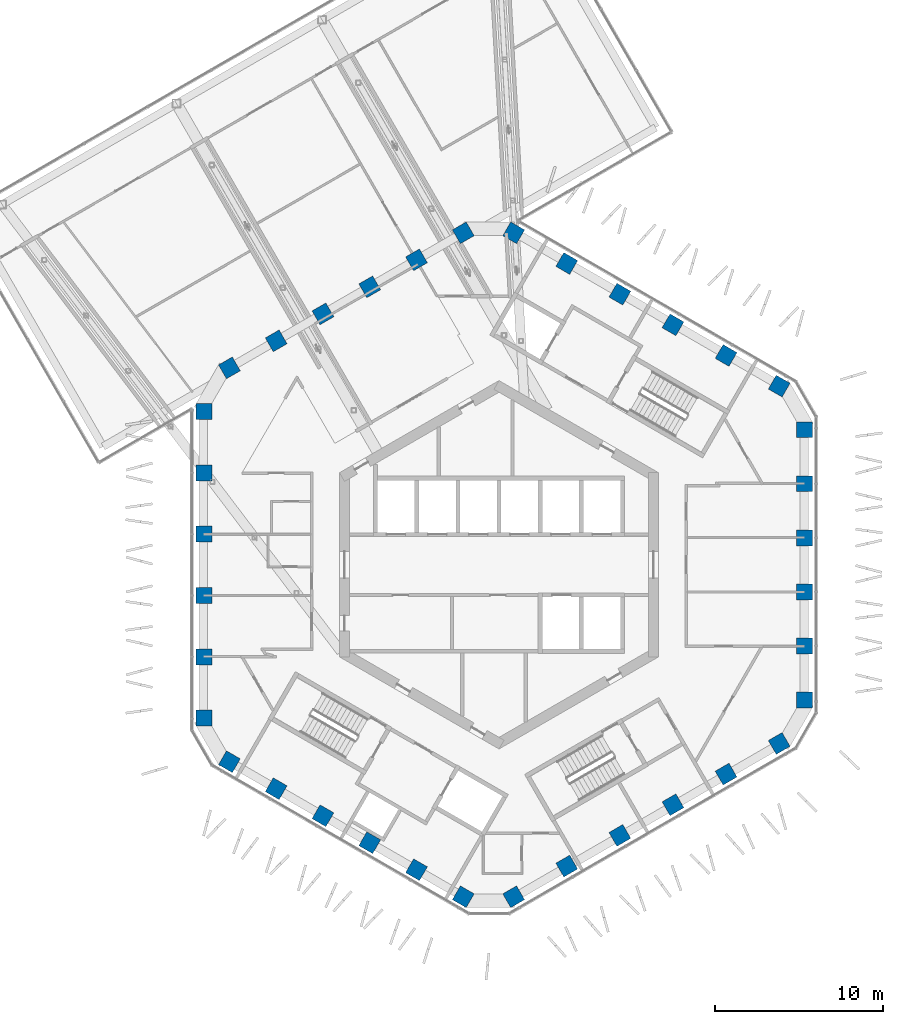
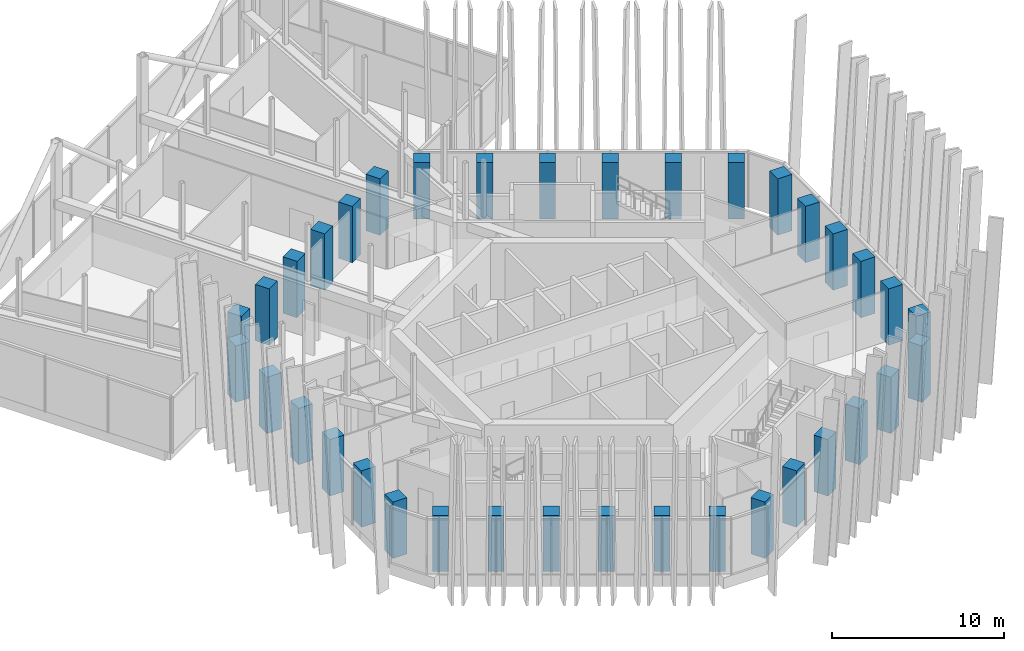
# One storey, part 1 of 29: 36 columns.
"""IFC4 building model written with IfcOpenShell, lengths in metres."""

import ifcopenshell
import ifcopenshell.guid

model = None  # the IFC model being written
_history = None  # IfcOwnerHistory: only IFC2X3 demands one
_inside = {}  # id of a spatial element -> (the spatial element, [elements in it])
_under = {}  # id of a project, library or spatial element -> (it, [spatial elements below it])
_declared = {}  # id of a project -> (the project, [libraries it declares])
_typed = {}  # id of a type object -> (the type object, [elements of that type])
_made_of = {}  # id of a material, layer set ... -> (it, [elements and type objects made of it])


def new_model(schema):
    """Start an empty IFC model of exactly this schema.

    Asked for "IFC4X3", IfcOpenShell would pick the latest addendum, in which some entities
    have other attributes; the version numbers below select the first issue.
    IFC2X3 requires an IfcOwnerHistory on every rooted entity: one is made here for all.
    """
    global model, _history
    if schema == "IFC4X3":
        model = ifcopenshell.file(schema_version=(4, 3, 0, 0))
    else:
        model = ifcopenshell.file(schema=schema)
    _inside.clear()
    _under.clear()
    _declared.clear()
    _typed.clear()
    _made_of.clear()
    _history = None
    if model.schema == "IFC2X3":
        org = make("IfcOrganization", Name="unknown")
        user = make(
            "IfcPersonAndOrganization",
            ThePerson=make("IfcPerson", FamilyName="unknown"),
            TheOrganization=org,
        )
        app = make(
            "IfcApplication",
            ApplicationDeveloper=org,
            Version="unknown",
            ApplicationFullName="unknown",
            ApplicationIdentifier="unknown",
        )
        _history = make(
            "IfcOwnerHistory",
            OwningUser=user,
            OwningApplication=app,
            ChangeAction="ADDED",
            CreationDate=0,
        )
    return model


def make(cls, **values):
    """One entity of the class cls with the attributes given. An attribute that is None is left unset."""
    return model.create_entity(
        cls, **{name: value for name, value in values.items() if value is not None}
    )


def rooted(cls, **values):
    """An entity with a GlobalId (a new one), such as an element, a storey or a relation."""
    return make(cls, GlobalId=ifcopenshell.guid.new(), OwnerHistory=_history, **values)


def si_unit(unit_type, name, prefix=None):
    """IfcSIUnit, for example si_unit("LENGTHUNIT", "METRE", prefix="MILLI")."""
    return make("IfcSIUnit", UnitType=unit_type, Prefix=prefix, Name=name)


def assignment(units):
    """IfcUnitAssignment: the units of a project."""
    return None if units is None else make("IfcUnitAssignment", Units=units)


def point(xyz):
    """IfcCartesianPoint."""
    return None if xyz is None else make("IfcCartesianPoint", Coordinates=xyz)


def direction(xyz):
    """IfcDirection."""
    return None if xyz is None else make("IfcDirection", DirectionRatios=xyz)


def frame(location, z_axis=None, x_axis=None):
    """IfcAxis2Placement3D, a coordinate frame: its origin and axes. An axis left out is left unset."""
    return make(
        "IfcAxis2Placement3D",
        Location=point(location),
        Axis=direction(z_axis),
        RefDirection=direction(x_axis),
    )


def frame_2d(location, x_axis=None):
    """IfcAxis2Placement2D, a coordinate frame in the plane: its origin and x axis."""
    return make(
        "IfcAxis2Placement2D", Location=point(location), RefDirection=direction(x_axis)
    )


def origin():
    """The frame at (0, 0, 0) with its axes left unset."""
    return frame((0.0, 0.0, 0.0))


def origin_2d():
    """The frame at (0, 0) in the plane with its x axis left unset."""
    return frame_2d((0.0, 0.0))


def place(relative_to, where):
    """IfcLocalPlacement: puts the frame where relative to a parent placement (None: the world)."""
    return make(
        "IfcLocalPlacement", PlacementRelTo=relative_to, RelativePlacement=where
    )


def context(
    kind, dimensions, precision=None, world=None, true_north=None, identifier=None
):
    """IfcGeometricRepresentationContext, for example the 3D "Model" context."""
    return make(
        "IfcGeometricRepresentationContext",
        ContextIdentifier=identifier,
        ContextType=kind,
        CoordinateSpaceDimension=dimensions,
        Precision=precision,
        WorldCoordinateSystem=world,
        TrueNorth=true_north,
    )


def subcontext(parent, identifier, kind, view, scale=None):
    """IfcGeometricRepresentationSubContext, for example "Body" below "Model"."""
    return make(
        "IfcGeometricRepresentationSubContext",
        ContextIdentifier=identifier,
        ContextType=kind,
        ParentContext=parent,
        TargetScale=scale,
        TargetView=view,
    )


def project(units=None, contexts=None):
    """IfcProject with its units and contexts."""
    return rooted(
        "IfcProject",
        Name="project",
        RepresentationContexts=contexts,
        UnitsInContext=assignment(units),
    )


def spatial(cls, under=None, at=None, **own):
    """A site, building, storey or space (cls), placed at a placement, below another one or the project."""
    s = rooted(cls, ObjectPlacement=at, **own)
    if under is not None:
        _under.setdefault(under.id(), (under, []))[1].append(s)
    return s


def profile(cls, at=None, kind="AREA", **sizes):
    """A parametric profile (cls). Its sizes go by their IFC names, for example OverallWidth=200.0."""
    return make(cls, ProfileType=kind, Position=at, **sizes)


def rectangle(**sizes):
    """IfcRectangleProfileDef."""
    return profile("IfcRectangleProfileDef", **sizes)


def extrude(swept, where, along, depth):
    """IfcExtrudedAreaSolid: the profile swept, set in the frame where, extruded along a direction by depth."""
    return make(
        "IfcExtrudedAreaSolid",
        SweptArea=swept,
        Position=where,
        ExtrudedDirection=direction(along),
        Depth=depth,
    )


def shape(context_of_items, identifier, shape_type, items):
    """IfcShapeRepresentation: the items that make up one representation, for example the "Body"."""
    return make(
        "IfcShapeRepresentation",
        ContextOfItems=context_of_items,
        RepresentationIdentifier=identifier,
        RepresentationType=shape_type,
        Items=items,
    )


def material(Name=None, Category=None):
    """IfcMaterial."""
    return make("IfcMaterial", Name=Name, Category=Category)


def material_profile(
    of_material, cross_section, Name=None, Category=None, Priority=None
):
    """IfcMaterialProfile: a cross section and its material."""
    return make(
        "IfcMaterialProfile",
        Name=Name,
        Material=of_material,
        Profile=cross_section,
        Priority=Priority,
        Category=Category,
    )


def profile_set(profiles, Name=None, composite=None):
    """IfcMaterialProfileSet."""
    return make(
        "IfcMaterialProfileSet",
        Name=Name,
        MaterialProfiles=profiles,
        CompositeProfile=composite,
    )


def made_of(thing, what):
    """Note that an element or type object is made of a material, layer set ...; save() writes the relation."""
    if what is not None:
        _made_of.setdefault(what.id(), (what, []))[1].append(thing)
    return thing


def type_object(cls, material=None, **own):
    """A type object (cls), such as IfcWallType, which elements share."""
    return made_of(rooted(cls, **own), material)


def element(
    cls,
    number,
    at=None,
    inside=None,
    cuts=None,
    type_object=None,
    material=None,
    context=None,
    identifier="Body",
    shape_type=None,
    held_by="IfcProductDefinitionShape",
    body=None,
    shapes=None,
    **own,
):
    """One element of the class cls, such as IfcWall. Its Tag is "e" and its number.

    at: its placement. inside: the storey or other place that contains it. cuts: it is an
    opening in that element (IfcRelVoidsElement). A single representation is given by context,
    identifier, shape_type and body (its items); several are given by shapes. held_by: the class
    of the entity that holds the representations. save() writes the other relations.
    """
    e = rooted(cls, Tag="e%d" % number, ObjectPlacement=at, **own)
    if body is not None:
        shapes = [shape(context, identifier, shape_type, body)]
    if shapes is not None:
        e.Representation = make(held_by, Representations=shapes)
    if inside is not None:
        _inside.setdefault(inside.id(), (inside, []))[1].append(e)
    if cuts is not None:
        rooted(
            "IfcRelVoidsElement", RelatingBuildingElement=cuts, RelatedOpeningElement=e
        )
    if type_object is not None:
        _typed.setdefault(type_object.id(), (type_object, []))[1].append(e)
    return made_of(e, material)


def aggregate(whole, parts):
    """IfcRelAggregates: a whole, such as a stair, and the parts it consists of."""
    return rooted("IfcRelAggregates", RelatingObject=whole, RelatedObjects=parts)


def save(model, path):
    """Write the relations noted so far, then the file.

    IfcRelAggregates (storeys below a building ...), IfcRelContainedInSpatialStructure (elements
    in a storey), IfcRelDefinesByType, IfcRelAssociatesMaterial and IfcRelDeclares: one each for
    every whole, place, type object, material and project.
    """
    for whole, parts in _under.values():
        aggregate(whole, parts)
    for where, things in _inside.values():
        rooted(
            "IfcRelContainedInSpatialStructure",
            RelatedElements=things,
            RelatingStructure=where,
        )
    for kind, things in _typed.values():
        rooted("IfcRelDefinesByType", RelatedObjects=things, RelatingType=kind)
    for what, things in _made_of.values():
        rooted("IfcRelAssociatesMaterial", RelatedObjects=things, RelatingMaterial=what)
    for by, libraries in _declared.values():
        rooted("IfcRelDeclares", RelatingContext=by, RelatedDefinitions=libraries)
    model.write(path)


model = new_model("IFC4")

# Units and contexts
model_context = context("Model", 3, precision=1e-05, world=origin(), true_north=direction((0.0, 1.0)))
body_context = subcontext(model_context, "Body", "Model", "MODEL_VIEW")
ifc_project = project(units=[si_unit("LENGTHUNIT", "METRE"), si_unit("AREAUNIT", "SQUARE_METRE"), si_unit("VOLUMEUNIT", "CUBIC_METRE"), si_unit("PLANEANGLEUNIT", "RADIAN"), si_unit("MASSUNIT", "GRAM", prefix="KILO")], contexts=[model_context])

# Site, building, storey
site_placement = place(None, origin())
site = spatial("IfcSite", under=ifc_project, at=site_placement, CompositionType="ELEMENT")
building_placement = place(site_placement, origin())
building = spatial("IfcBuilding", under=site, at=building_placement, Name="Ayvan Gate Tower", CompositionType="ELEMENT")
storey_placement = place(building_placement, frame((0.0, 0.0, 186.699951171875)))
storey = spatial("IfcBuildingStorey", under=building, at=storey_placement, Name="L50", CompositionType="ELEMENT", Elevation=186.699951171875)

# Columns
ifc_material = material(Name="Concrete C55/67", Category="concrete")
ifc_material_profile = material_profile(ifc_material, rectangle(XDim=0.949951171875, YDim=0.949951171875, at=origin_2d()), Name="RC 950x950")
ifc_profile_set = profile_set([ifc_material_profile], Name="Concrete C55/67")
column_type = type_object("IfcColumnType", Name="Tube column RC 950x950 C55/67", PredefinedType="COLUMN", material=ifc_profile_set)
for number, where, z_axis, x_axis, name in (
    (1, (18.1865234375, -8.042236328125, 0.0), (0.0, 0.0, 1.0), (1.0, 0.0, 0.0), "C-T0-0-L50"),
    (2, (18.1865234375, -4.825439453125, 0.0), (0.0, 0.0, 1.0), (1.0, 0.0, 0.0), "C-T0-1-L50"),
    (3, (18.1865234375, -1.6083984375, 0.0), (0.0, 0.0, 1.0), (1.0, 0.0, 0.0), "C-T0-2-L50"),
    (4, (18.1865234375, 1.6083984375, 0.0), (0.0, 0.0, 1.0), (1.0, 0.0, 0.0), "C-T0-3-L50"),
    (5, (18.1865234375, 4.825439453125, 0.0), (0.0, 0.0, 1.0), (1.0, 0.0, 0.0), "C-T0-4-L50"),
    (6, (18.1865234375, 8.042236328125, 0.0), (0.0, 0.0, 1.0), (1.0, 0.0, 0.0), "C-T0-5-L50"),
    (7, (16.6865234375, 10.640380859375, 0.0), (0.0, 0.0, 1.0), (0.5, 0.866025403784, 0.0), "C-T1-0-L50"),
    (8, (13.5234375, 12.466552734375, 0.0), (0.0, 0.0, 1.0), (0.5, 0.866025403784, 0.0), "C-T1-1-L50"),
    (9, (10.360595703125, 14.292724609375, 0.0), (0.0, 0.0, 1.0), (0.5, 0.866025403784, 0.0), "C-T1-2-L50"),
    (10, (7.197509765625, 16.118896484375, 0.0), (0.0, 0.0, 1.0), (0.5, 0.866025403784, 0.0), "C-T1-3-L50"),
    (11, (4.03466796875, 17.945068359375, 0.0), (0.0, 0.0, 1.0), (0.5, 0.866025403784, 0.0), "C-T1-4-L50"),
    (12, (0.87158203125, 19.771240234375, 0.0), (0.0, 0.0, 1.0), (0.5, 0.866025403784, 0.0), "C-T1-5-L50"),
    (13, (-2.12841796875, 19.771240234375, 0.0), (0.0, 0.0, 1.0), (-0.5, 0.866025403784, 0.0), "C-T2-0-L50"),
    (14, (-4.914306640625, 18.16259765625, 0.0), (0.0, 0.0, 1.0), (-0.5, 0.866025403784, 0.0), "C-T2-1-L50"),
    (15, (-7.7001953125, 16.55419921875, 0.0), (0.0, 0.0, 1.0), (-0.5, 0.866025403784, 0.0), "C-T2-2-L50"),
    (16, (-10.486328125, 14.94580078125, 0.0), (0.0, 0.0, 1.0), (-0.5, 0.866025403784, 0.0), "C-T2-3-L50"),
    (17, (-13.272216796875, 13.33740234375, 0.0), (0.0, 0.0, 1.0), (-0.5, 0.866025403784, 0.0), "C-T2-4-L50"),
    (18, (-16.05810546875, 11.728759765625, 0.0), (0.0, 0.0, 1.0), (-0.5, 0.866025403784, 0.0), "C-T2-5-L50"),
    (19, (-17.55810546875, 9.130859375, 0.0), (0.0, 0.0, 1.0), (-1.0, 0.0, 0.0), "C-T3-0-L50"),
    (20, (-17.55810546875, 5.478515625, 0.0), (0.0, 0.0, 1.0), (-1.0, 0.0, 0.0), "C-T3-1-L50"),
    (21, (-17.55810546875, 1.826171875, 0.0), (0.0, 0.0, 1.0), (-1.0, 0.0, 0.0), "C-T3-2-L50"),
    (22, (-17.55810546875, -1.826171875, 0.0), (0.0, 0.0, 1.0), (-1.0, 0.0, 0.0), "C-T3-3-L50"),
    (23, (-17.55810546875, -5.478515625, 0.0), (0.0, 0.0, 1.0), (-1.0, 0.0, 0.0), "C-T3-4-L50"),
    (24, (-17.55810546875, -9.130859375, 0.0), (0.0, 0.0, 1.0), (-1.0, 0.0, 0.0), "C-T3-5-L50"),
    (25, (-16.05810546875, -11.728759765625, 0.0), (0.0, 0.0, 1.0), (-0.5, -0.866025403784, 0.0), "C-T4-0-L50"),
    (26, (-13.272216796875, -13.33740234375, 0.0), (0.0, 0.0, 1.0), (-0.5, -0.866025403784, 0.0), "C-T4-1-L50"),
    (27, (-10.486328125, -14.94580078125, 0.0), (0.0, 0.0, 1.0), (-0.5, -0.866025403784, 0.0), "C-T4-2-L50"),
    (28, (-7.7001953125, -16.55419921875, 0.0), (0.0, 0.0, 1.0), (-0.5, -0.866025403784, 0.0), "C-T4-3-L50"),
    (29, (-4.914306640625, -18.16259765625, 0.0), (0.0, 0.0, 1.0), (-0.5, -0.866025403784, 0.0), "C-T4-4-L50"),
    (30, (-2.12841796875, -19.771240234375, 0.0), (0.0, 0.0, 1.0), (-0.5, -0.866025403784, 0.0), "C-T4-5-L50"),
    (31, (0.87158203125, -19.771240234375, 0.0), (0.0, 0.0, 1.0), (0.5, -0.866025403784, 0.0), "C-T5-0-L50"),
    (32, (4.03466796875, -17.945068359375, 0.0), (0.0, 0.0, 1.0), (0.5, -0.866025403784, 0.0), "C-T5-1-L50"),
    (33, (7.197509765625, -16.118896484375, 0.0), (0.0, 0.0, 1.0), (0.5, -0.866025403784, 0.0), "C-T5-2-L50"),
    (34, (10.360595703125, -14.292724609375, 0.0), (0.0, 0.0, 1.0), (0.5, -0.866025403784, 0.0), "C-T5-3-L50"),
    (35, (13.5234375, -12.466552734375, 0.0), (0.0, 0.0, 1.0), (0.5, -0.866025403784, 0.0), "C-T5-4-L50"),
    (36, (16.6865234375, -10.640380859375, 0.0), (0.0, 0.0, 1.0), (0.5, -0.866025403784, 0.0), "C-T5-5-L50"),
):
    element("IfcColumn", number, at=place(storey_placement, frame(where, z_axis=z_axis, x_axis=x_axis)), inside=storey, type_object=column_type, Name=name, PredefinedType="COLUMN", context=body_context, shape_type="SweptSolid", body=[
        extrude(rectangle(XDim=0.949951171875, YDim=0.949951171875, at=origin_2d()), origin(), (0.0, 0.0, 1.0), 4.0),
    ])

save(model, "model.ifc")
